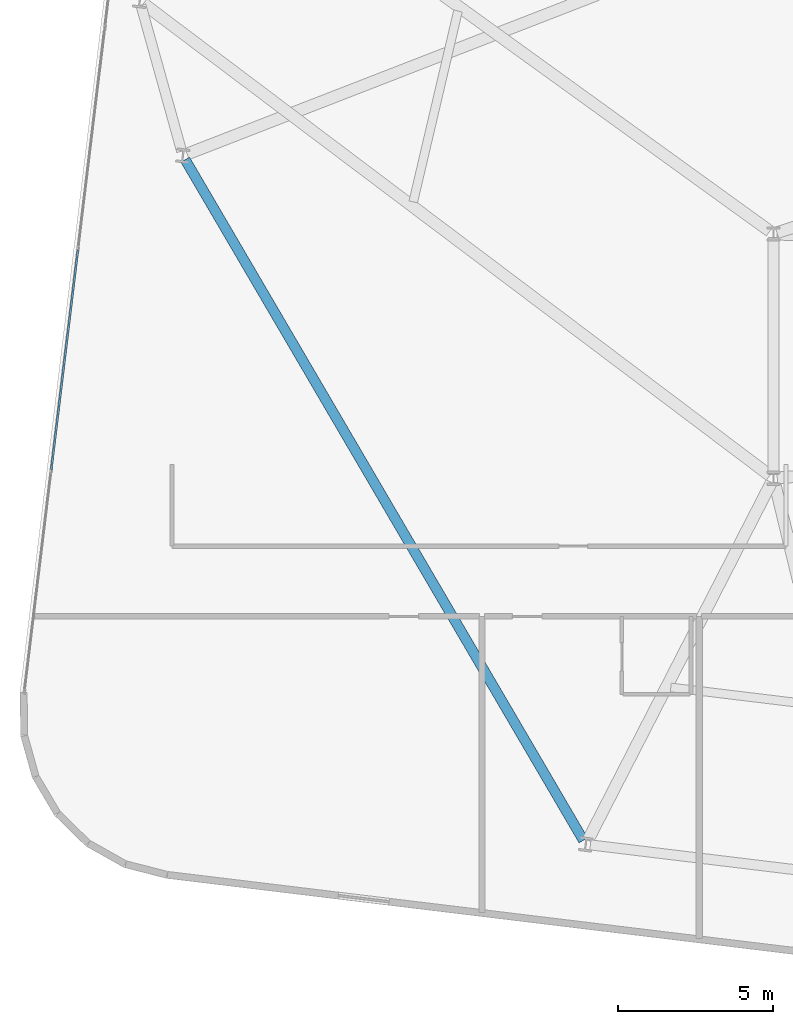
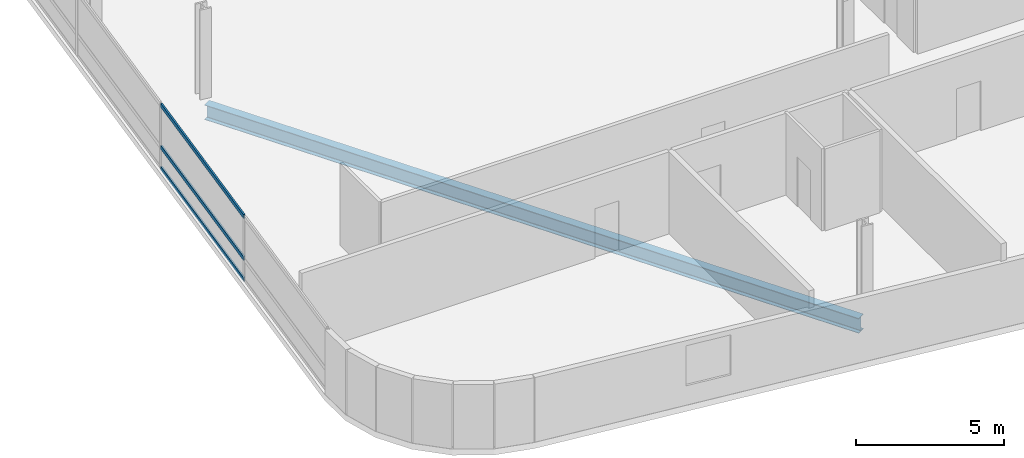
# One storey, part 5 of 26: 3 members, 1 beam, 1 element without a shape of its own.
"""IFC4 building model written with IfcOpenShell, lengths in metres."""

from ifc_helpers import new_model, si_unit, direction, frame, origin, origin_2d, place, context, subcontext, project, spatial, hollow_rectangle, i_section, extrude, material, layer, layer_set, material_profile, profile_set, type_object, element, aggregate, save


model = new_model("IFC4")

# Units and contexts
model_context = context("Model", 3, precision=1e-05, world=origin(), true_north=direction((0.0, 1.0)))
body_context = subcontext(model_context, "Body", "Model", "MODEL_VIEW")
ifc_project = project(units=[si_unit("LENGTHUNIT", "METRE"), si_unit("AREAUNIT", "SQUARE_METRE"), si_unit("VOLUMEUNIT", "CUBIC_METRE"), si_unit("PLANEANGLEUNIT", "RADIAN"), si_unit("MASSUNIT", "GRAM", prefix="KILO")], contexts=[model_context])

# Site, building, storey
site_placement = place(None, origin())
site = spatial("IfcSite", under=ifc_project, at=site_placement, CompositionType="ELEMENT")
building_placement = place(site_placement, origin())
building = spatial("IfcBuilding", under=site, at=building_placement, Name="Varnelok Gate Tower", CompositionType="ELEMENT")
storey_placement = place(building_placement, frame((0.0, 0.0, 158.699951171875)))
storey = spatial("IfcBuildingStorey", under=building, at=storey_placement, Name="L40", CompositionType="ELEMENT", Elevation=158.699951171875)

# Beam
ifc_material_1 = material(Name="Structural Steel ASTM A992 Grade 50", Category="steel")
ifc_material_profile_1 = material_profile(ifc_material_1, i_section(OverallWidth=0.323974609375, OverallDepth=0.611083984375, WebThickness=0.0126953125, FlangeThickness=0.01904296875, FilletRadius=0.01806640625, at=origin_2d()), Name="W24X104")
ifc_profile_set_1 = profile_set([ifc_material_profile_1], Name="Structural Steel ASTM A992 Grade 50")
beam_type = type_object("IfcBeamType", Name="BM-SPN-W24X104", PredefinedType="SPANDREL", material=ifc_profile_set_1)
beam_placement = place(storey_placement, frame((5.43115234375, 29.072021484375, -0.555419921875), z_axis=(0.504960797965, -0.863142278259, 0.0), x_axis=(0.863142278259, 0.504960797965, 0.0)))
element("IfcBeam", 1, at=beam_placement, inside=storey, type_object=beam_type, Name="L40 Perimeter Spandrel Beam 16", PredefinedType="SPANDREL", context=body_context, shape_type="SweptSolid", body=[
    extrude(i_section(OverallWidth=0.323974609375, OverallDepth=0.611083984375, WebThickness=0.0126953125, FlangeThickness=0.01904296875, FilletRadius=0.01806640625, at=origin_2d()), origin(), (0.0, 0.0, 1.0), 25.425537109375),
])

# Curtain wall, members
ifc_material_2 = material(Name="Anodized Aluminum Alloy 6063-T6", Category="aluminium")
ifc_layer = layer(ifc_material_2, 0.179931640625)
ifc_layer_set = layer_set([ifc_layer], Name="Anodized Aluminum Alloy 6063-T6")
curtain_wall_type = type_object("IfcCurtainWallType", Name="CW3-HOTEL-VISION", PredefinedType="USERDEFINED", material=ifc_layer_set)
curtain_wall_placement = place(storey_placement, origin())
curtain_wall = element("IfcCurtainWall", 2, at=curtain_wall_placement, inside=storey, type_object=curtain_wall_type, Name="L40 West End Vision Curtain Wall", ObjectType="UNITISED CURTAIN WALL", PredefinedType="USERDEFINED")
ifc_material_profile_2 = material_profile(ifc_material_2, hollow_rectangle(XDim=0.06494140625, YDim=0.159912109375, WallThickness=0.00390625, at=origin_2d()), Name="ALU160X65X4")
ifc_profile_set_2 = profile_set([ifc_material_profile_2], Name="Anodized Aluminum Alloy 6063-T6")
member_type = type_object("IfcMemberType", Name="CW-TRAN-160", PredefinedType="USERDEFINED", material=ifc_profile_set_2)
member_1_placement = place(storey_placement, frame((1.113525390625, 19.07080078125, 0.032470703125), z_axis=(0.120344652138, 0.992732171687, 0.0), x_axis=(-0.992732171687, 0.120344652138, 0.0)))
member_1 = element("IfcMember", 3, at=member_1_placement, type_object=member_type, Name="CW3 transom 2.1", ObjectType="TRANSOM", PredefinedType="USERDEFINED", context=body_context, shape_type="SweptSolid", body=[
    extrude(hollow_rectangle(XDim=0.06494140625, YDim=0.159912109375, WallThickness=0.00390625, at=origin_2d()), origin(), (0.0, 0.0, 1.0), 7.134765625),
])
member_2_placement = place(storey_placement, frame((1.113525390625, 19.07080078125, 0.900146484375), z_axis=(0.120344652138, 0.992732171687, 0.0), x_axis=(-0.992732171687, 0.120344652138, 0.0)))
member_2 = element("IfcMember", 4, at=member_2_placement, type_object=member_type, Name="CW3 transom 2.2", ObjectType="TRANSOM", PredefinedType="USERDEFINED", context=body_context, shape_type="SweptSolid", body=[
    extrude(hollow_rectangle(XDim=0.06494140625, YDim=0.159912109375, WallThickness=0.00390625, at=origin_2d()), origin(), (0.0, 0.0, 1.0), 7.134765625),
])
member_3_placement = place(storey_placement, frame((1.113525390625, 19.07080078125, 2.62744140625), z_axis=(0.120344652138, 0.992732171687, 0.0), x_axis=(-0.992732171687, 0.120344652138, 0.0)))
member_3 = element("IfcMember", 5, at=member_3_placement, type_object=member_type, Name="CW3 transom 2.3", ObjectType="TRANSOM", PredefinedType="USERDEFINED", context=body_context, shape_type="SweptSolid", body=[
    extrude(hollow_rectangle(XDim=0.06494140625, YDim=0.159912109375, WallThickness=0.00390625, at=origin_2d()), origin(), (0.0, 0.0, 1.0), 7.134765625),
])
aggregate(curtain_wall, [member_1, member_2, member_3])

save(model, "model.ifc")
